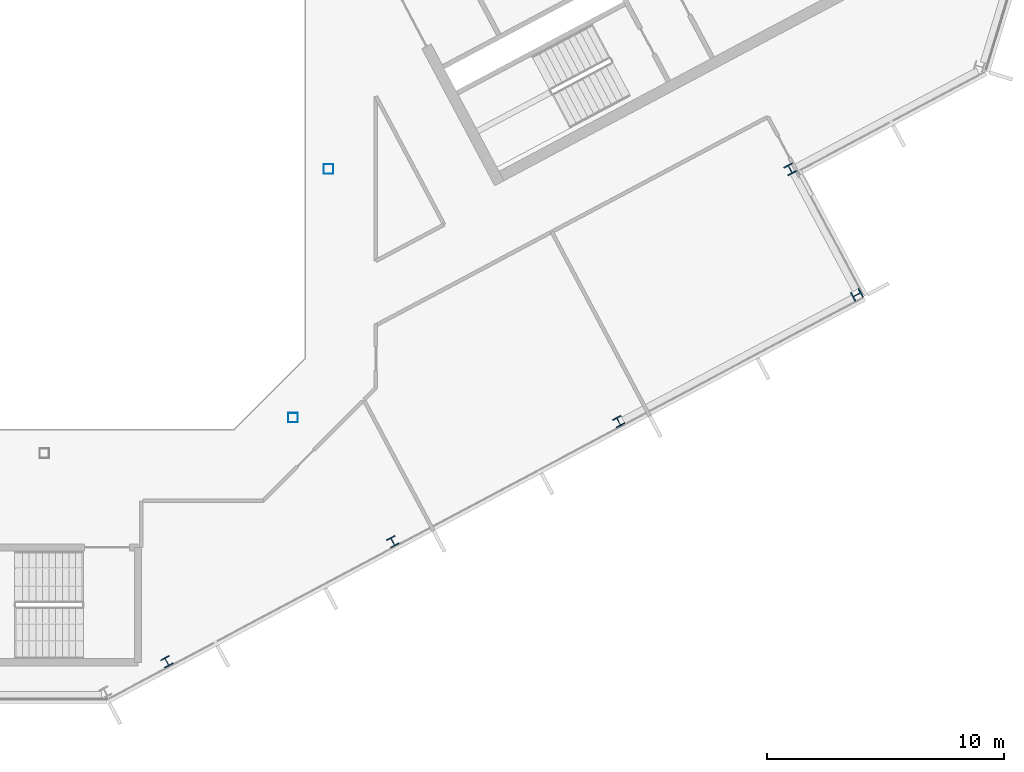
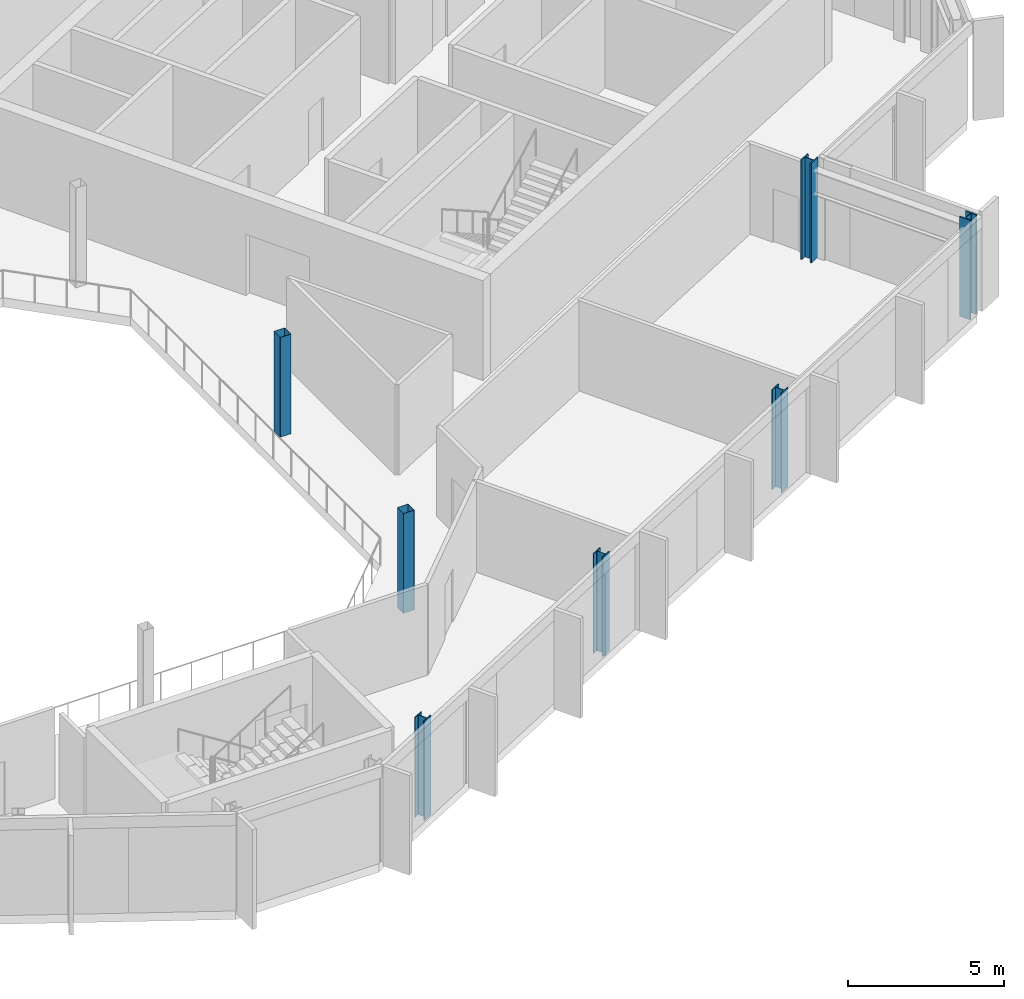
# One storey, part 5 of 26: 7 columns.
"""IFC4 building model written with IfcOpenShell, lengths in metres."""

from ifc_helpers import new_model, si_unit, direction, frame, origin, origin_2d, place, context, subcontext, project, spatial, hollow_rectangle, i_section, extrude, material, material_profile, profile_set, type_object, element, save


model = new_model("IFC4")

# Units and contexts
model_context = context("Model", 3, precision=1e-05, world=origin(), true_north=direction((0.0, 1.0)))
body_context = subcontext(model_context, "Body", "Model", "MODEL_VIEW")
ifc_project = project(units=[si_unit("LENGTHUNIT", "METRE"), si_unit("AREAUNIT", "SQUARE_METRE"), si_unit("VOLUMEUNIT", "CUBIC_METRE"), si_unit("PLANEANGLEUNIT", "RADIAN"), si_unit("MASSUNIT", "GRAM", prefix="KILO")], contexts=[model_context])

# Site, building, storey
site_placement = place(None, origin())
site = spatial("IfcSite", under=ifc_project, at=site_placement, CompositionType="ELEMENT")
building_placement = place(site_placement, origin())
building = spatial("IfcBuilding", under=site, at=building_placement, Name="Cormorant Relay Tower", CompositionType="ELEMENT")
storey_placement = place(building_placement, frame((0.0, 0.0, 269.699951171875)))
storey = spatial("IfcBuildingStorey", under=building, at=storey_placement, Name="L60", CompositionType="ELEMENT", Elevation=269.699951171875)

# Columns
ifc_material_1 = material(Name="Steel ASTM A500 Grade C (Fy 345 MPa)", Category="steel")
ifc_material_profile_1 = material_profile(ifc_material_1, hollow_rectangle(XDim=0.406494140625, YDim=0.406494140625, WallThickness=0.0087890625, InnerFilletRadius=0.00439453125, OuterFilletRadius=0.01318359375, at=origin_2d()), Name="HSS406x406x9")
ifc_profile_set_1 = profile_set([ifc_material_profile_1], Name="Steel ASTM A500 Grade C (Fy 345 MPa)")
column_type_1 = type_object("IfcColumnType", Name="Column HSS406x406x9", PredefinedType="COLUMN", material=ifc_profile_set_1)
for number, where, z_axis, x_axis, name in (
    (1, (10.5, -10.5, 0.0), (0.0, 0.0, 1.0), (1.0, 0.0, 0.0), "Column L60-010"),
    (2, (12.0, 0.0, 0.0), (0.0, 0.0, 1.0), (1.0, 0.0, 0.0), "Column L60-016"),
):
    element("IfcColumn", number, at=place(storey_placement, frame(where, z_axis=z_axis, x_axis=x_axis)), inside=storey, type_object=column_type_1, Name=name, PredefinedType="COLUMN", context=body_context, shape_type="SweptSolid", body=[
        extrude(hollow_rectangle(XDim=0.406494140625, YDim=0.406494140625, WallThickness=0.0087890625, InnerFilletRadius=0.00439453125, OuterFilletRadius=0.01318359375, at=origin_2d()), origin(), (0.0, 0.0, 1.0), 3.900146484375),
    ])
ifc_material_2 = material(Name="Steel ASTM A992 (Fy 345 MPa)", Category="steel")
ifc_material_profile_2 = material_profile(ifc_material_2, i_section(OverallWidth=0.398681640625, OverallDepth=0.385986328125, WebThickness=0.02099609375, FlangeThickness=0.033203125, FilletRadius=0.01513671875, at=origin_2d()), Name="W360x262")
ifc_profile_set_2 = profile_set([ifc_material_profile_2], Name="Steel ASTM A992 (Fy 345 MPa)")
column_type_2 = type_object("IfcColumnType", Name="Column W360x262", PredefinedType="COLUMN", material=ifc_profile_set_2)
for number, where, z_axis, x_axis, name in (
    (3, (5.174072265625, -20.806884765625, 0.0), (0.0, 0.0, 1.0), (0.882947592859, 0.469471562786, 0.0), "Column L60-003"),
    (4, (14.7099609375, -15.736083984375, 0.0), (0.0, 0.0, 1.0), (0.882947592859, 0.469471562786, 0.0), "Column L60-005"),
    (5, (24.2451171875, -10.666015625, 0.0), (0.0, 0.0, 1.0), (0.882947592859, 0.469471562786, 0.0), "Column L60-008"),
):
    element("IfcColumn", number, at=place(storey_placement, frame(where, z_axis=z_axis, x_axis=x_axis)), inside=storey, type_object=column_type_2, Name=name, PredefinedType="COLUMN", context=body_context, shape_type="SweptSolid", body=[
        extrude(i_section(OverallWidth=0.398681640625, OverallDepth=0.385986328125, WebThickness=0.02099609375, FlangeThickness=0.033203125, FilletRadius=0.01513671875, at=origin_2d()), origin(), (0.0, 0.0, 1.0), 3.900146484375),
    ])
ifc_material_3 = material(Name="Steel ASTM A992 (Fy 345 MPa)", Category="steel")
ifc_material_profile_3 = material_profile(ifc_material_3, i_section(OverallWidth=0.40380859375, OverallDepth=0.406494140625, WebThickness=0.027099609375, FlangeThickness=0.043701171875, FilletRadius=0.01513671875, at=origin_2d()), Name="W360x347")
ifc_profile_set_3 = profile_set([ifc_material_profile_3], Name="Steel ASTM A992 (Fy 345 MPa)")
column_type_3 = type_object("IfcColumnType", Name="Column W360x347", PredefinedType="COLUMN", material=ifc_profile_set_3)
for number, where, z_axis, x_axis, name in (
    (6, (34.303955078125, -5.31201171875, 0.0), (0.0, 0.0, 1.0), (-0.469471562786, 0.882947592859, 0.0), "Column L60-012"),
    (7, (31.487060546875, -0.013916015625, 0.0), (0.0, 0.0, 1.0), (0.882947592859, 0.469471562786, 0.0), "Column L60-014"),
):
    element("IfcColumn", number, at=place(storey_placement, frame(where, z_axis=z_axis, x_axis=x_axis)), inside=storey, type_object=column_type_3, Name=name, PredefinedType="COLUMN", context=body_context, shape_type="SweptSolid", body=[
        extrude(i_section(OverallWidth=0.40380859375, OverallDepth=0.406494140625, WebThickness=0.027099609375, FlangeThickness=0.043701171875, FilletRadius=0.01513671875, at=origin_2d()), origin(), (0.0, 0.0, 1.0), 3.900146484375),
    ])

save(model, "model.ifc")
